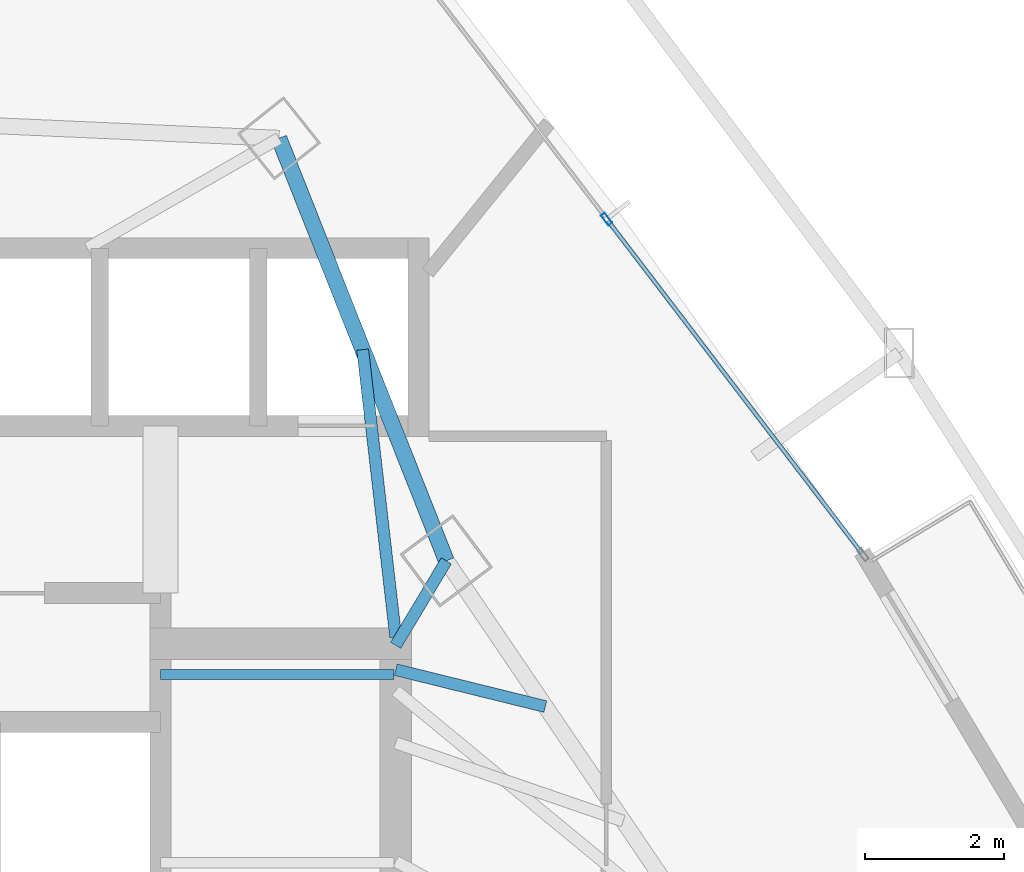
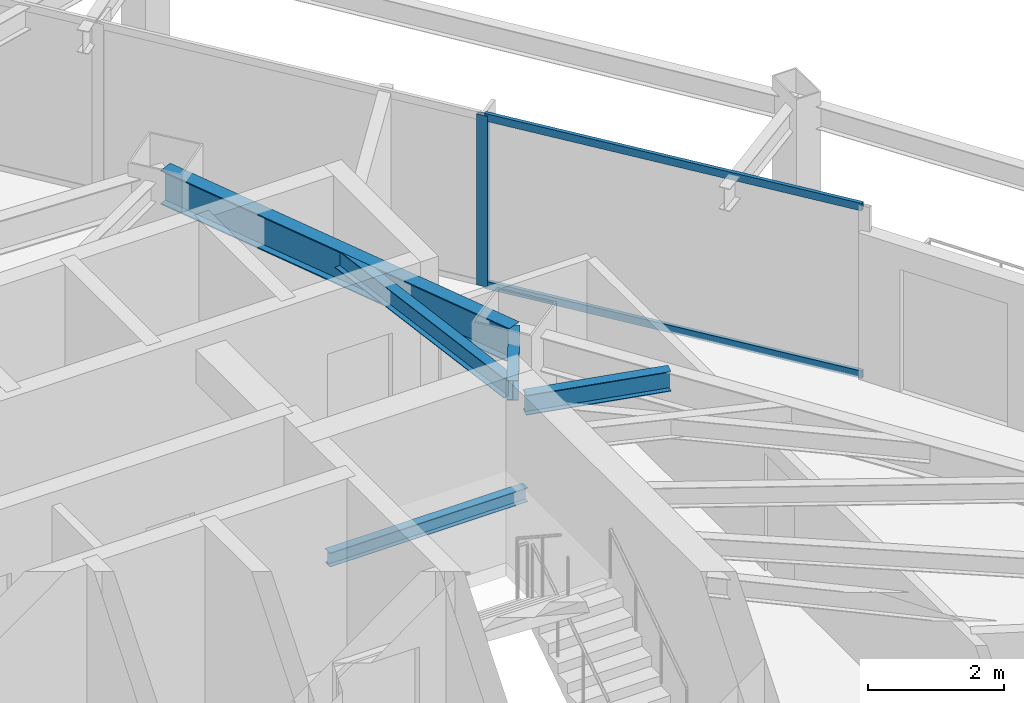
# One storey, part 25 of 33: 5 beams, 3 members, 1 element without a shape of its own.
"""IFC4 building model written with IfcOpenShell, lengths in metres."""

from ifc_helpers import new_model, si_unit, direction, frame, origin, origin_2d, place, context, subcontext, project, spatial, hollow_rectangle, i_section, extrude, material, layer, layer_set, material_profile, profile_set, type_object, element, aggregate, save


model = new_model("IFC4")

# Units and contexts
model_context = context("Model", 3, precision=1e-05, world=origin(), true_north=direction((0.0, 1.0)))
body_context = subcontext(model_context, "Body", "Model", "MODEL_VIEW")
ifc_project = project(units=[si_unit("LENGTHUNIT", "METRE"), si_unit("AREAUNIT", "SQUARE_METRE"), si_unit("VOLUMEUNIT", "CUBIC_METRE"), si_unit("PLANEANGLEUNIT", "RADIAN"), si_unit("MASSUNIT", "GRAM", prefix="KILO")], contexts=[model_context])

# Site, building, storey
site_placement = place(None, origin())
site = spatial("IfcSite", under=ifc_project, at=site_placement, CompositionType="ELEMENT")
building_placement = place(site_placement, origin())
building = spatial("IfcBuilding", under=site, at=building_placement, Name="Orvanel Arch Residences", CompositionType="ELEMENT")
storey_placement = place(building_placement, frame((0.0, 0.0, 84.050048828125)))
storey = spatial("IfcBuildingStorey", under=building, at=storey_placement, Name="L23", CompositionType="ELEMENT", Elevation=84.050048828125)

# Beams
ifc_material_1 = material(Name="Structural steel AS/NZS 3679.1 Grade 300 (300 MPa)", Category="steel")
ifc_material_profile_1 = material_profile(ifc_material_1, i_section(OverallWidth=0.14599609375, OverallDepth=0.251953125, WebThickness=0.006103515625, FlangeThickness=0.008544921875, at=origin_2d()), Name="250UB31.4")
ifc_profile_set_1 = profile_set([ifc_material_profile_1], Name="Structural steel AS/NZS 3679.1 Grade 300 (300 MPa)")
beam_type_1 = type_object("IfcBeamType", Name="BJ-250UB", PredefinedType="JOIST", material=ifc_profile_set_1)
beam_1_placement = place(storey_placement, frame((36.25, 33.47998046875, 1.323974609375), z_axis=(1.0, 0.0, 0.0), x_axis=(0.0, 1.0, 0.0)))
element("IfcBeam", 1, at=beam_1_placement, inside=storey, type_object=beam_type_1, Name="L23 ST-2 Half-Landing Support Beam 1.2", PredefinedType="JOIST", context=body_context, shape_type="SweptSolid", body=[
    extrude(i_section(OverallWidth=0.14599609375, OverallDepth=0.251953125, WebThickness=0.006103515625, FlangeThickness=0.008544921875, at=origin_2d()), origin(), (0.0, 0.0, 1.0), 3.35009765625),
])
ifc_material_profile_2 = material_profile(ifc_material_1, i_section(OverallWidth=0.1708984375, OverallDepth=0.35595703125, WebThickness=0.00732421875, FlangeThickness=0.011474609375, at=origin_2d()), Name="360UB50.7")
ifc_profile_set_2 = profile_set([ifc_material_profile_2], Name="Structural steel AS/NZS 3679.1 Grade 300 (300 MPa)")
beam_type_2 = type_object("IfcBeamType", Name="BJ-360UB", PredefinedType="JOIST", material=ifc_profile_set_2)
beam_2_placement = place(storey_placement, frame((39.625, 33.89990234375, 2.8818359375), z_axis=(0.514064138778, 0.857751748015, 0.0), x_axis=(-0.857751748015, 0.514064138778, 0.0)))
element("IfcBeam", 2, at=beam_2_placement, inside=storey, type_object=beam_type_2, Name="L23 NNE Wing Floor Joist", PredefinedType="JOIST", context=body_context, shape_type="SweptSolid", body=[
    extrude(i_section(OverallWidth=0.1708984375, OverallDepth=0.35595703125, WebThickness=0.00732421875, FlangeThickness=0.011474609375, at=origin_2d()), origin(), (0.0, 0.0, 1.0), 1.414306640625),
])
beam_3_placement = place(storey_placement, frame((39.625, 34.02001953125, 2.8818359375), z_axis=(-0.114186670431, 0.993459311847, 0.0), x_axis=(-0.993459311847, -0.114186670431, 0.0)))
element("IfcBeam", 3, at=beam_3_placement, inside=storey, type_object=beam_type_2, Name="L23 NNE2 Wing Floor Joist", PredefinedType="JOIST", context=body_context, shape_type="SweptSolid", body=[
    extrude(i_section(OverallWidth=0.1708984375, OverallDepth=0.35595703125, WebThickness=0.00732421875, FlangeThickness=0.011474609375, at=origin_2d()), origin(), (0.0, 0.0, 1.0), 4.152099609375),
])
beam_4_placement = place(storey_placement, frame((39.625, 33.550048828125, 2.8818359375), z_axis=(0.971005818547, -0.239055851942, 0.0), x_axis=(0.239055851942, 0.971005818547, 0.0)))
element("IfcBeam", 4, at=beam_4_placement, inside=storey, type_object=beam_type_2, Name="L23 JADD4 Wing Floor Joist", PredefinedType="JOIST", context=body_context, shape_type="SweptSolid", body=[
    extrude(i_section(OverallWidth=0.1708984375, OverallDepth=0.35595703125, WebThickness=0.00732421875, FlangeThickness=0.011474609375, at=origin_2d()), origin(), (0.0, 0.0, 1.0), 2.213134765625),
])

# Curtain wall, member
ifc_material_2 = material(Name="Bronze-anodised aluminium AA6063-T6", Category="aluminium")
ifc_layer = layer(ifc_material_2, 0.179931640625)
ifc_layer_set = layer_set([ifc_layer], Name="Bronze-anodised aluminium AA6063-T6")
curtain_wall_type = type_object("IfcCurtainWallType", Name="CW2-LOW-SYS", PredefinedType="NOTDEFINED", material=ifc_layer_set)
curtain_wall_placement = place(storey_placement, origin())
curtain_wall = element("IfcCurtainWall", 5, at=curtain_wall_placement, inside=storey, type_object=curtain_wall_type, Name="L23 CW2-LOW-SYS Unitised Curtain Wall", PredefinedType="NOTDEFINED")
ifc_material_profile_3 = material_profile(ifc_material_2, hollow_rectangle(XDim=0.070068359375, YDim=0.179931640625, WallThickness=0.00439453125, at=origin_2d()), Name="ALU180x70x4.5")
ifc_profile_set_3 = profile_set([ifc_material_profile_3], Name="Bronze-anodised aluminium AA6063-T6")
member_type_1 = type_object("IfcMemberType", Name="MUL-180x70", PredefinedType="MULLION", material=ifc_profile_set_3)
member_1_placement = place(storey_placement, frame((42.654052734375, 40.01904296875, 0.0), z_axis=(0.0, 0.0, 1.0), x_axis=(-0.794618292381, -0.607109355399, 0.0)))
member_1 = element("IfcMember", 6, at=member_1_placement, type_object=member_type_1, Name="CW-S2 mullion 2", PredefinedType="MULLION", context=body_context, shape_type="SweptSolid", body=[
    extrude(hollow_rectangle(XDim=0.070068359375, YDim=0.179931640625, WallThickness=0.00439453125, at=origin_2d()), origin(), (0.0, 0.0, 1.0), 3.06005859375),
])

# Beam
ifc_material_profile_4 = material_profile(ifc_material_1, i_section(OverallWidth=0.22900390625, OverallDepth=0.612060546875, WebThickness=0.011962890625, FlangeThickness=0.01953125, at=origin_2d()), Name="610UB125")
ifc_profile_set_4 = profile_set([ifc_material_profile_4], Name="Structural steel AS/NZS 3679.1 Grade 300 (300 MPa)")
beam_type_3 = type_object("IfcBeamType", Name="SP-610UB", PredefinedType="SPANDREL", material=ifc_profile_set_4)
beam_5_placement = place(storey_placement, frame((40.35205078125, 35.113037109375, 2.75390625), z_axis=(-0.368233143579, 0.929733484376, 0.0), x_axis=(-0.929733484376, -0.368233143579, 0.0)))
element("IfcBeam", 7, at=beam_5_placement, inside=storey, type_object=beam_type_3, Name="L23 Perimeter Spandrel Beam 15", PredefinedType="SPANDREL", context=body_context, shape_type="SweptSolid", body=[
    extrude(i_section(OverallWidth=0.22900390625, OverallDepth=0.612060546875, WebThickness=0.011962890625, FlangeThickness=0.01953125, at=origin_2d()), origin(), (0.0, 0.0, 1.0), 6.523193359375),
])

# Member
ifc_material_profile_5 = material_profile(ifc_material_2, hollow_rectangle(XDim=0.06005859375, YDim=0.135009765625, WallThickness=0.00390625, at=origin_2d()), Name="ALU135x60x4")
ifc_profile_set_5 = profile_set([ifc_material_profile_5], Name="Bronze-anodised aluminium AA6063-T6")
member_type_2 = type_object("IfcMemberType", Name="TRN-135x60", PredefinedType="USERDEFINED", material=ifc_profile_set_5)
member_2_placement = place(storey_placement, frame((46.3154296875, 35.2265625, 0.030029296875), z_axis=(-0.607090348899, 0.794632813489, 0.0), x_axis=(-0.794632813489, -0.607090348899, 0.0)))
member_2 = element("IfcMember", 8, at=member_2_placement, type_object=member_type_2, Name="CW-S2 transom 1.1", ObjectType="TRANSOM", PredefinedType="USERDEFINED", context=body_context, shape_type="SweptSolid", body=[
    extrude(hollow_rectangle(XDim=0.06005859375, YDim=0.135009765625, WallThickness=0.00390625, at=origin_2d()), origin(), (0.0, 0.0, 1.0), 5.99609375),
])

member_3_placement = place(storey_placement, frame((46.3154296875, 35.2265625, 3.030029296875), z_axis=(-0.607090348899, 0.794632813489, 0.0), x_axis=(-0.794632813489, -0.607090348899, 0.0)))
member_3 = element("IfcMember", 9, at=member_3_placement, type_object=member_type_2, Name="CW-S2 transom 1.2", ObjectType="TRANSOM", PredefinedType="USERDEFINED", context=body_context, shape_type="SweptSolid", body=[
    extrude(hollow_rectangle(XDim=0.06005859375, YDim=0.135009765625, WallThickness=0.00390625, at=origin_2d()), origin(), (0.0, 0.0, 1.0), 5.99609375),
])

aggregate(curtain_wall, [member_1, member_2, member_3])

save(model, "model.ifc")
